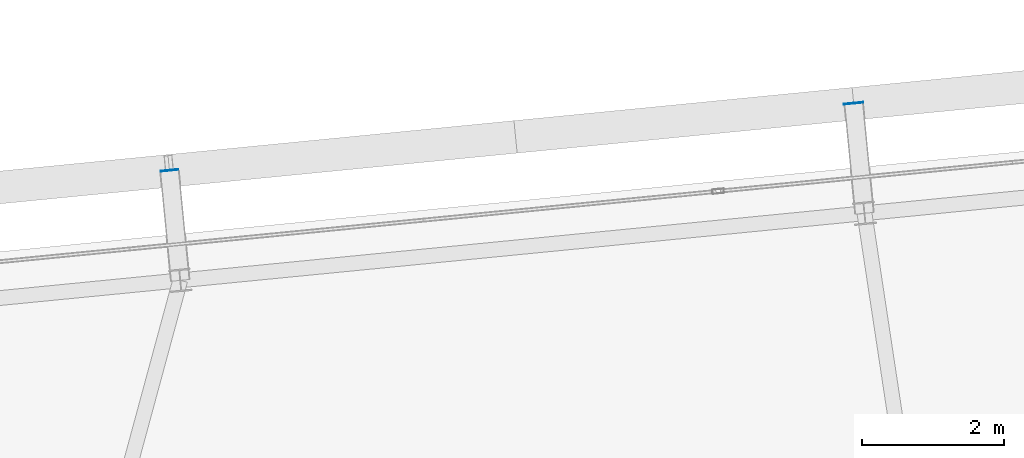
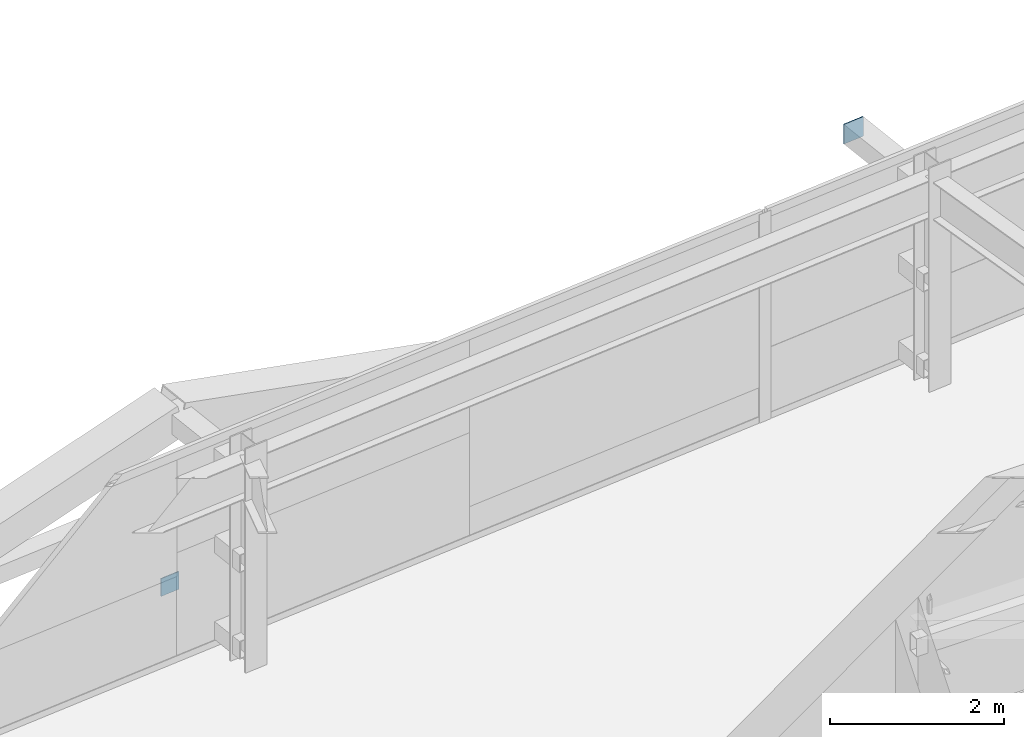
# One storey, part 39 of 47: 2 plates.
"""IFC4 building model written with IfcOpenShell, lengths in metres."""

from ifc_helpers import new_model, si_unit, direction, frame, origin, origin_2d, place, context, subcontext, project, spatial, rectangle, extrude, source, transform, mapped, material, layer, layer_set, type_object, element, save


model = new_model("IFC4")

# Units and contexts
model_context = context("Model", 3, precision=1e-05, world=origin(), true_north=direction((0.0, 1.0)))
body_context = subcontext(model_context, "Body", "Model", "MODEL_VIEW")
ifc_project = project(units=[si_unit("LENGTHUNIT", "METRE"), si_unit("AREAUNIT", "SQUARE_METRE"), si_unit("VOLUMEUNIT", "CUBIC_METRE"), si_unit("PLANEANGLEUNIT", "RADIAN"), si_unit("MASSUNIT", "GRAM", prefix="KILO")], contexts=[model_context])

# Site, building, storey
site_placement = place(None, origin())
site = spatial("IfcSite", under=ifc_project, at=site_placement, CompositionType="ELEMENT")
building_placement = place(site_placement, origin())
building = spatial("IfcBuilding", under=site, at=building_placement, Name="Taldren Reach Tower", CompositionType="ELEMENT")
storey_placement = place(building_placement, frame((0.0, 0.0, 87.14990234375)))
storey = spatial("IfcBuildingStorey", under=building, at=storey_placement, Name="L26", CompositionType="ELEMENT", Elevation=87.14990234375)

# Plates
ifc_material_1 = material(Name="Steel Gr 450 (C450L0)", Category="steel")
ifc_layer_1 = layer(ifc_material_1, 0.011962890625)
ifc_layer_set_1 = layer_set([ifc_layer_1], Name="Steel Gr 450 (C450L0)")
plate_type_1 = type_object("IfcPlateType", Name="PL-CAP-275", PredefinedType="SHEET", material=ifc_layer_set_1)
shared_shape_1 = source(origin(), body_context, "Body", "SweptSolid", [
    extrude(rectangle(XDim=0.27490234375, YDim=0.011962890625, at=origin_2d()), origin(), (0.0, 0.0, 1.0), 0.27490234375),
])
plate_1_placement = place(storey_placement, frame((49.980224609375, 39.283935546875, 2.5126953125), z_axis=(0.0, 0.0, 1.0), x_axis=(0.995227399982, 0.097582899759, 0.0)))
element("IfcPlate", 1, at=plate_1_placement, inside=storey, type_object=plate_type_1, Name="Tie strut end cap plate B2-N5 L26", PredefinedType="SHEET", context=body_context, shape_type="MappedRepresentation", body=[
    mapped(shared_shape_1, transform((0.0, 0.0, 0.0), scale=1.0)),
])
ifc_material_2 = material(Name="Steel Gr 350 (C350L0)", Category="steel")
ifc_layer_2 = layer(ifc_material_2, 0.011962890625)
ifc_layer_set_2 = layer_set([ifc_layer_2], Name="Steel Gr 350 (C350L0)")
plate_type_2 = type_object("IfcPlateType", Name="PL-CAP-250", PredefinedType="SHEET", material=ifc_layer_set_2)
shared_shape_2 = source(origin(), body_context, "Body", "SweptSolid", [
    extrude(rectangle(XDim=0.25, YDim=0.011962890625, at=origin_2d()), origin(), (0.0, 0.0, 1.0), 0.25),
])
plate_2_placement = place(storey_placement, frame((40.346435546875, 38.33935546875, 0.09521484375), z_axis=(0.0, 0.0, 1.0), x_axis=(0.995227399982, 0.097582899759, 0.0)))
element("IfcPlate", 2, at=plate_2_placement, inside=storey, type_object=plate_type_2, Name="Tie strut end cap plate B2-N4 L26", PredefinedType="SHEET", context=body_context, shape_type="MappedRepresentation", body=[
    mapped(shared_shape_2, transform((0.0, 0.0, 0.0), scale=1.0)),
])

save(model, "model.ifc")
